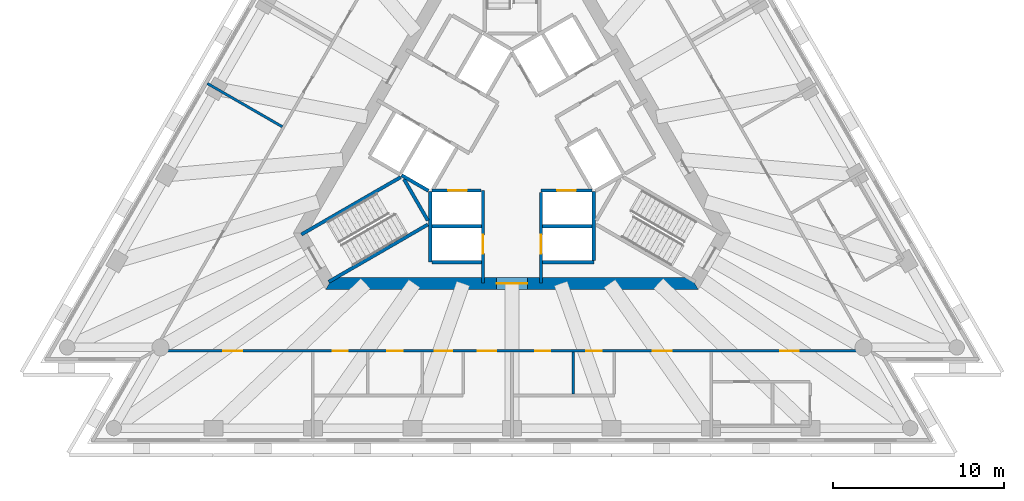
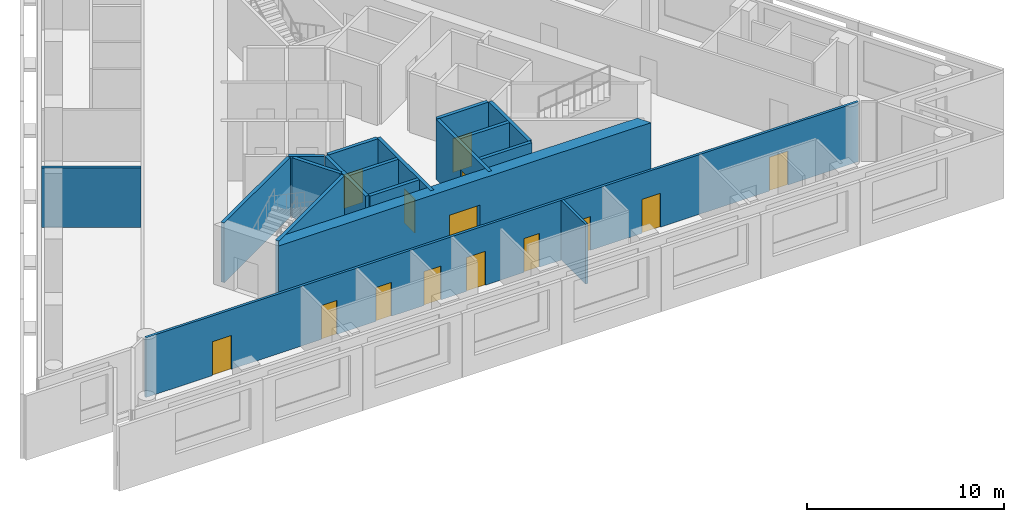
# One storey, part 3 of 10: 18 walls, 14 doors, 14 openings.
"""IFC4 building model written with IfcOpenShell, lengths in metres."""

from ifc_helpers import new_model, si_unit, direction, frame, frame_2d, origin, place, context, subcontext, project, spatial, polyline, rectangle, outline, extrude, material, layer, layer_set, type_object, element, fill, save


model = new_model("IFC4")

# Units and contexts
model_context = context("Model", 3, precision=1e-05, world=origin(), true_north=direction((0.0, 1.0)))
body_context = subcontext(model_context, "Body", "Model", "MODEL_VIEW")
ifc_project = project(units=[si_unit("LENGTHUNIT", "METRE"), si_unit("AREAUNIT", "SQUARE_METRE"), si_unit("VOLUMEUNIT", "CUBIC_METRE"), si_unit("PLANEANGLEUNIT", "RADIAN"), si_unit("MASSUNIT", "GRAM", prefix="KILO")], contexts=[model_context])

# Site, building, storey
site_placement = place(None, origin())
site = spatial("IfcSite", under=ifc_project, at=site_placement, CompositionType="ELEMENT")
building_placement = place(site_placement, origin())
building = spatial("IfcBuilding", under=site, at=building_placement, Name="Triada Interchange Tower", CompositionType="ELEMENT")
storey_placement = place(building_placement, frame((0.0, 0.0, 247.300048828125)))
storey = spatial("IfcBuildingStorey", under=building, at=storey_placement, Name="L58", CompositionType="ELEMENT", Elevation=247.300048828125)

# Walls
ifc_material_1 = material(Name="Concrete C30/37", Category="concrete")
ifc_layer_1 = layer(ifc_material_1, 0.199951171875)
ifc_layer_set_1 = layer_set([ifc_layer_1], Name="CORE WALL 200 EI 120")
wall_type_1 = type_object("IfcWallType", Name="CORE WALL 200 EI 120", PredefinedType="SOLIDWALL", material=ifc_layer_set_1)
for number, where, z_axis, x_axis, name in (
    (1, (-4.699951171875, -4.800048828125, 0.0), (0.0, 0.0, 1.0), (1.0, 0.0, 0.0), "Wall L56 43"),
    (2, (1.800048828125, -4.800048828125, 0.0), (0.0, 0.0, 1.0), (1.0, 0.0, 0.0), "Wall L56 44"),
):
    element("IfcWall", number, at=place(storey_placement, frame(where, z_axis=z_axis, x_axis=x_axis)), inside=storey, type_object=wall_type_1, Name=name, PredefinedType="SOLIDWALL", context=body_context, shape_type="SweptSolid", body=[
        extrude(rectangle(XDim=2.89990234375, YDim=0.199951171875, at=frame_2d((1.449951171875, 0.0))), origin(), (0.0, 0.0, 1.0), 3.699951171875),
    ])
wall_1_placement = place(storey_placement, frame((-4.800048828125, -6.89990234375, 0.0), z_axis=(0.0, 0.0, 1.0), x_axis=(0.0, 1.0, 0.0)))
element("IfcWall", 3, at=wall_1_placement, inside=storey, type_object=wall_type_1, Name="Wall L56 45", PredefinedType="SOLIDWALL", context=body_context, shape_type="SweptSolid", body=[
    extrude(rectangle(XDim=4.130859375, YDim=0.199951171875, at=frame_2d((2.0654296875, 0.0))), origin(), (0.0, 0.0, 1.0), 3.699951171875),
])
wall_2_placement = place(storey_placement, frame((-4.699951171875, -6.89990234375, 0.0), z_axis=(0.0, 0.0, 1.0), x_axis=(1.0, 0.0, 0.0)))
element("IfcWall", 4, at=wall_2_placement, inside=storey, type_object=wall_type_1, Name="Wall L56 46", PredefinedType="SOLIDWALL", context=body_context, shape_type="SweptSolid", body=[
    extrude(rectangle(XDim=2.89990234375, YDim=0.199951171875, at=frame_2d((1.449951171875, 0.0))), origin(), (0.0, 0.0, 1.0), 3.699951171875),
])
wall_3_placement = place(storey_placement, frame((1.800048828125, -6.89990234375, 0.0), z_axis=(0.0, 0.0, 1.0), x_axis=(1.0, 0.0, 0.0)))
element("IfcWall", 5, at=wall_3_placement, inside=storey, type_object=wall_type_1, Name="Wall L56 47", PredefinedType="SOLIDWALL", context=body_context, shape_type="SweptSolid", body=[
    extrude(rectangle(XDim=3.0, YDim=0.199951171875, at=frame_2d((1.5, 0.0))), origin(), (0.0, 0.0, 1.0), 3.699951171875),
])

# Wall, opening, door
wall_4_placement = place(storey_placement, frame((-1.699951171875, -8.1298828125, 0.0), z_axis=(0.0, 0.0, 1.0), x_axis=(0.0, 1.0, 0.0)))
wall_4 = element("IfcWall", 6, at=wall_4_placement, inside=storey, type_object=wall_type_1, Name="Wall L56 48", PredefinedType="SOLIDWALL", context=body_context, shape_type="SweptSolid", body=[
    extrude(rectangle(XDim=5.427001953125, YDim=0.199951171875, at=frame_2d((2.71337890625, 0.0))), origin(), (0.0, 0.0, 1.0), 3.699951171875),
])
opening_1_placement = place(wall_4_placement, frame((1.72998046875, 0.0, 0.0)))
opening_1 = element("IfcOpeningElement", 7, at=opening_1_placement, cuts=wall_4, Name="Opening LD-HR4", PredefinedType="OPENING", context=body_context, shape_type="SweptSolid", body=[
    extrude(rectangle(XDim=1.10009765625, YDim=2.10009765625, at=frame_2d((0.550048828125, 1.050048828125))), frame((0.0, 0.10986328125, 0.0), z_axis=(0.0, -1.0, 0.0), x_axis=(1.0, 0.0, 0.0)), (0.0, 0.0, 1.0), 0.219970703125),
])
ifc_material_2 = material(Name="Steel S235 door leaf", Category="steel")
door_type_1 = type_object("IfcDoorType", Name="LIFT LANDING DOOR 1100 EI 120", OperationType="SLIDING_TO_LEFT", PredefinedType="DOOR", material=ifc_material_2)
door_1_placement = place(opening_1_placement, origin())
door_1 = element("IfcDoor", 8, at=door_1_placement, inside=storey, type_object=door_type_1, Name="HR4 landing door L58", OperationType="SLIDING_TO_LEFT", OverallHeight=2.10009765625, OverallWidth=1.10009765625, PredefinedType="DOOR", context=body_context, shape_type="SweptSolid", body=[
    extrude(rectangle(XDim=1.10009765625, YDim=2.10009765625, at=frame_2d((0.550048828125, 1.050048828125))), frame((0.0, 0.02490234375, 0.0), z_axis=(0.0, -1.0, 0.0), x_axis=(1.0, 0.0, 0.0)), (0.0, 0.0, 1.0), 0.050048828125),
])
fill(opening_1, door_1)

wall_5_placement = place(storey_placement, frame((-4.676025390625, -2.699951171875, 0.0), z_axis=(0.0, 0.0, 1.0), x_axis=(1.0, 0.0, 0.0)))
wall_5 = element("IfcWall", 9, at=wall_5_placement, inside=storey, type_object=wall_type_1, Name="Wall L56 49", PredefinedType="SOLIDWALL", context=body_context, shape_type="SweptSolid", body=[
    extrude(rectangle(XDim=2.873046875, YDim=0.199951171875, at=frame_2d((1.4365234375, 0.0))), origin(), (0.0, 0.0, 1.0), 3.699951171875),
])
opening_2_placement = place(wall_5_placement, frame((0.93701171875, 0.0, 0.0)))
opening_2 = element("IfcOpeningElement", 10, at=opening_2_placement, cuts=wall_5, Name="Opening LD-HR3", PredefinedType="OPENING", context=body_context, shape_type="SweptSolid", body=[
    extrude(rectangle(XDim=1.10009765625, YDim=2.10009765625, at=frame_2d((0.550048828125, 1.050048828125))), frame((0.0, 0.10986328125, 0.0), z_axis=(0.0, -1.0, 0.0), x_axis=(1.0, 0.0, 0.0)), (0.0, 0.0, 1.0), 0.219970703125),
])
door_2_placement = place(opening_2_placement, origin())
door_2 = element("IfcDoor", 11, at=door_2_placement, inside=storey, type_object=door_type_1, Name="HR3 landing door L58", OperationType="SLIDING_TO_LEFT", OverallHeight=2.10009765625, OverallWidth=1.10009765625, PredefinedType="DOOR", context=body_context, shape_type="SweptSolid", body=[
    extrude(rectangle(XDim=1.10009765625, YDim=2.10009765625, at=frame_2d((0.550048828125, 1.050048828125))), frame((0.0, 0.02490234375, 0.0), z_axis=(0.0, -1.0, 0.0), x_axis=(1.0, 0.0, 0.0)), (0.0, 0.0, 1.0), 0.050048828125),
])
fill(opening_2, door_2)

wall_6_placement = place(storey_placement, frame((1.702880859375, -2.699951171875, 0.0), z_axis=(0.0, 0.0, 1.0), x_axis=(1.0, 0.0, 0.0)))
wall_6 = element("IfcWall", 12, at=wall_6_placement, inside=storey, type_object=wall_type_1, Name="Wall L56 50", PredefinedType="SOLIDWALL", context=body_context, shape_type="SweptSolid", body=[
    extrude(rectangle(XDim=2.97314453125, YDim=0.199951171875, at=frame_2d((1.486572265625, 0.0))), origin(), (0.0, 0.0, 1.0), 3.699951171875),
])
opening_3_placement = place(wall_6_placement, frame((0.93603515625, 0.0, 0.0)))
opening_3 = element("IfcOpeningElement", 13, at=opening_3_placement, cuts=wall_6, Name="Opening LD-HR1", PredefinedType="OPENING", context=body_context, shape_type="SweptSolid", body=[
    extrude(rectangle(XDim=1.10009765625, YDim=2.10009765625, at=frame_2d((0.550048828125, 1.050048828125))), frame((0.0, 0.10986328125, 0.0), z_axis=(0.0, -1.0, 0.0), x_axis=(1.0, 0.0, 0.0)), (0.0, 0.0, 1.0), 0.219970703125),
])
door_3_placement = place(opening_3_placement, origin())
door_3 = element("IfcDoor", 14, at=door_3_placement, inside=storey, type_object=door_type_1, Name="HR1 landing door L58", OperationType="SLIDING_TO_LEFT", OverallHeight=2.10009765625, OverallWidth=1.10009765625, PredefinedType="DOOR", context=body_context, shape_type="SweptSolid", body=[
    extrude(rectangle(XDim=1.10009765625, YDim=2.10009765625, at=frame_2d((0.550048828125, 1.050048828125))), frame((0.0, 0.02490234375, 0.0), z_axis=(0.0, -1.0, 0.0), x_axis=(1.0, 0.0, 0.0)), (0.0, 0.0, 1.0), 0.050048828125),
])
fill(opening_3, door_3)

wall_7_placement = place(storey_placement, frame((1.699951171875, -8.1298828125, 0.0), z_axis=(0.0, 0.0, 1.0), x_axis=(0.0, 1.0, 0.0)))
wall_7 = element("IfcWall", 15, at=wall_7_placement, inside=storey, type_object=wall_type_1, Name="Wall L56 55", PredefinedType="SOLIDWALL", context=body_context, shape_type="SweptSolid", body=[
    extrude(rectangle(XDim=5.326904296875, YDim=0.199951171875, at=frame_2d((2.66357421875, 0.0))), origin(), (0.0, 0.0, 1.0), 3.699951171875),
])
opening_4_placement = place(wall_7_placement, frame((1.72998046875, 0.0, 0.0)))
opening_4 = element("IfcOpeningElement", 16, at=opening_4_placement, cuts=wall_7, Name="Opening LD-HR2", PredefinedType="OPENING", context=body_context, shape_type="SweptSolid", body=[
    extrude(rectangle(XDim=1.10009765625, YDim=2.10009765625, at=frame_2d((0.550048828125, 1.050048828125))), frame((0.0, 0.10986328125, 0.0), z_axis=(0.0, -1.0, 0.0), x_axis=(1.0, 0.0, 0.0)), (0.0, 0.0, 1.0), 0.219970703125),
])
door_4_placement = place(opening_4_placement, origin())
door_4 = element("IfcDoor", 17, at=door_4_placement, inside=storey, type_object=door_type_1, Name="HR2 landing door L58", OperationType="SLIDING_TO_LEFT", OverallHeight=2.10009765625, OverallWidth=1.10009765625, PredefinedType="DOOR", context=body_context, shape_type="SweptSolid", body=[
    extrude(rectangle(XDim=1.10009765625, YDim=2.10009765625, at=frame_2d((0.550048828125, 1.050048828125))), frame((0.0, 0.02490234375, 0.0), z_axis=(0.0, -1.0, 0.0), x_axis=(1.0, 0.0, 0.0)), (0.0, 0.0, 1.0), 0.050048828125),
])
fill(opening_4, door_4)

# Walls
wall_8_placement = place(storey_placement, frame((4.800048828125, -6.800048828125, 0.0), z_axis=(0.0, 0.0, 1.0), x_axis=(0.0, 1.0, 0.0)))
element("IfcWall", 18, at=wall_8_placement, inside=storey, type_object=wall_type_1, Name="Wall L56 56", PredefinedType="SOLIDWALL", context=body_context, shape_type="SweptSolid", body=[
    extrude(rectangle(XDim=4.029052734375, YDim=0.199951171875, at=frame_2d((2.0146484375, 0.0))), origin(), (0.0, 0.0, 1.0), 3.699951171875),
])
ifc_layer_2 = layer(ifc_material_1, 0.199951171875)
ifc_layer_set_2 = layer_set([ifc_layer_2], Name="CORE WALL 200 EI 180")
wall_type_2 = type_object("IfcWallType", Name="CORE WALL 200 EI 180", PredefinedType="SOLIDWALL", material=ifc_layer_set_2)
wall_9_placement = place(storey_placement, frame((-6.469970703125, -1.806884765625, 0.0), z_axis=(0.0, 0.0, 1.0), x_axis=(0.865883195159, -0.500246231712, 0.0)))
element("IfcWall", 19, at=wall_9_placement, inside=storey, type_object=wall_type_2, Name="Shaft wall FF1 L56 74", PredefinedType="SOLIDWALL", context=body_context, shape_type="SweptSolid", body=[
    extrude(rectangle(XDim=1.8154296875, YDim=0.199951171875, at=frame_2d((0.90771484375, 0.0))), origin(), (0.0, 0.0, 1.0), 3.699951171875),
])
ifc_layer_3 = layer(ifc_material_1, 0.199951171875)
ifc_layer_set_3 = layer_set([ifc_layer_3], Name="CORE WALL 200 REI 240")
wall_type_3 = type_object("IfcWallType", Name="CORE WALL 200 REI 240", PredefinedType="SOLIDWALL", material=ifc_layer_set_3)
wall_10_placement = place(storey_placement, frame((-12.343994140625, -5.279052734375, 0.0), z_axis=(0.0, 0.0, 1.0), x_axis=(0.866046323291, 0.499963764601, 0.0)))
element("IfcWall", 20, at=wall_10_placement, inside=storey, type_object=wall_type_3, Name="Wall L56 84", PredefinedType="SOLIDWALL", context=body_context, shape_type="SweptSolid", body=[
    extrude(rectangle(XDim=6.71435546875, YDim=0.199951171875, at=frame_2d((3.357177734375, 0.0))), origin(), (0.0, 0.0, 1.0), 3.699951171875),
])
wall_11_placement = place(storey_placement, frame((-6.3291015625, -2.0380859375, 0.0), z_axis=(0.0, 0.0, 1.0), x_axis=(0.500200581029, -0.865909567298, 0.0)))
element("IfcWall", 21, at=wall_11_placement, inside=storey, type_object=wall_type_3, Name="Wall L56 85", PredefinedType="SOLIDWALL", context=body_context, shape_type="SweptSolid", body=[
    extrude(rectangle(XDim=2.799072265625, YDim=0.199951171875, at=frame_2d((1.3994140625, 0.0))), origin(), (0.0, 0.0, 1.0), 3.699951171875),
])
wall_12_placement = place(storey_placement, frame((-10.743896484375, -8.051025390625, 0.0), z_axis=(0.0, 0.0, 1.0), x_axis=(0.865983344943, 0.500072840975, 0.0)))
element("IfcWall", 22, at=wall_12_placement, inside=storey, type_object=wall_type_3, Name="Wall L56 86", PredefinedType="SOLIDWALL", context=body_context, shape_type="SweptSolid", body=[
    extrude(rectangle(XDim=6.71484375, YDim=0.199951171875, at=frame_2d((3.357421875, 0.0))), origin(), (0.0, 0.0, 1.0), 3.699951171875),
])

# Wall, opening, door
ifc_material_3 = material(Name="Concrete C50/60", Category="concrete")
ifc_layer_4 = layer(ifc_material_3, 0.699951171875)
ifc_layer_set_4 = layer_set([ifc_layer_4], Name="Core wall C 700")
wall_type_4 = type_object("IfcWallType", Name="Core wall C 700", PredefinedType="SHEAR", material=ifc_layer_set_4)
wall_13_placement = place(storey_placement, frame((-10.7099609375, -8.14990234375, -0.300048828125), z_axis=(0.0, 0.0, 1.0), x_axis=(1.0, 0.0, 0.0)))
wall_13 = element("IfcWall", 23, at=wall_13_placement, inside=storey, type_object=wall_type_4, Name="Core wall WC04 L58", PredefinedType="SHEAR", context=body_context, shape_type="SweptSolid", body=[
    extrude(outline(polyline([(-0.201904296875, -0.35009765625), (1.781982421875, -0.35009765625), (3.76611328125, -0.35009765625), (5.75, -0.35009765625), (7.734130859375, -0.35009765625), (9.718017578125, -0.35009765625), (11.7021484375, -0.35009765625), (13.68603515625, -0.35009765625), (15.670166015625, -0.35009765625), (17.654052734375, -0.35009765625), (19.63818359375, -0.35009765625), (21.6220703125, -0.35009765625), (21.218017578125, 0.35009765625), (19.307373046875, 0.35009765625), (17.39697265625, 0.35009765625), (15.486328125, 0.35009765625), (13.57568359375, 0.35009765625), (11.665283203125, 0.35009765625), (9.754638671875, 0.35009765625), (7.84423828125, 0.35009765625), (5.93359375, 0.35009765625), (4.02294921875, 0.35009765625), (2.112548828125, 0.35009765625), (0.201904296875, 0.35009765625), (-0.201904296875, -0.35009765625)])), origin(), (0.0, 0.0, 1.0), 4.0),
])
opening_5_placement = place(wall_13_placement, frame((9.81005859375, 0.0, 0.300048828125)))
opening_5 = element("IfcOpeningElement", 24, at=opening_5_placement, cuts=wall_13, Name="Opening D56-39", PredefinedType="OPENING", context=body_context, shape_type="SweptSolid", body=[
    extrude(rectangle(XDim=1.800048828125, YDim=2.10009765625, at=frame_2d((0.89990234375, 1.050048828125))), frame((0.0, 0.360107421875, 0.0), z_axis=(0.0, -1.0, 0.0), x_axis=(1.0, 0.0, 0.0)), (0.0, 0.0, 1.0), 0.72021484375),
])
door_type_2 = type_object("IfcDoorType", Name="LOBBY DOOR 1800 EI2 90-C5S200", OperationType="DOUBLE_DOOR_SINGLE_SWING", PredefinedType="DOOR", material=ifc_material_2)
door_5_placement = place(opening_5_placement, origin())
door_5 = element("IfcDoor", 25, at=door_5_placement, inside=storey, type_object=door_type_2, Name="Door D56-39 L58", OperationType="DOUBLE_DOOR_SINGLE_SWING", OverallHeight=2.10009765625, OverallWidth=1.800048828125, PredefinedType="DOOR", context=body_context, shape_type="SweptSolid", body=[
    extrude(rectangle(XDim=1.800048828125, YDim=2.10009765625, at=frame_2d((0.89990234375, 1.050048828125))), frame((0.0, 0.02490234375, 0.0), z_axis=(0.0, -1.0, 0.0), x_axis=(1.0, 0.0, 0.0)), (0.0, 0.0, 1.0), 0.050048828125),
])
fill(opening_5, door_5)

# Wall, openings, doors
ifc_material_4 = material(Name="Gypsum board partition")
ifc_layer_5 = layer(ifc_material_4, 0.14990234375)
ifc_layer_set_5 = layer_set([ifc_layer_5], Name="PARTITION 150 EI 180")
wall_type_5 = type_object("IfcWallType", Name="PARTITION 150 EI 180", PredefinedType="PARTITIONING", material=ifc_layer_set_5)
wall_14_placement = place(storey_placement, frame((-20.806884765625, -12.10009765625, 0.0), z_axis=(0.0, 0.0, 1.0), x_axis=(1.0, 0.0, 0.0)))
wall_14 = element("IfcWall", 26, at=wall_14_placement, inside=storey, type_object=wall_type_5, Name="Wall L56 3", PredefinedType="PARTITIONING", context=body_context, shape_type="SweptSolid", body=[
    extrude(rectangle(XDim=41.763916015625, YDim=0.14990234375, at=frame_2d((20.8818359375, 0.0))), origin(), (0.0, 0.0, 1.0), 3.699951171875),
])
opening_6_placement = place(wall_14_placement, frame((3.89990234375, 0.0, 0.0)))
opening_6 = element("IfcOpeningElement", 27, at=opening_6_placement, cuts=wall_14, Name="Opening D56-11", PredefinedType="OPENING", context=body_context, shape_type="SweptSolid", body=[
    extrude(rectangle(XDim=1.10009765625, YDim=2.10009765625, at=frame_2d((0.550048828125, 1.050048828125))), frame((0.0, 0.0849609375, 0.0), z_axis=(0.0, -1.0, 0.0), x_axis=(1.0, 0.0, 0.0)), (0.0, 0.0, 1.0), 0.169921875),
])
opening_7_placement = place(wall_14_placement, frame((18.7919921875, 0.0, 0.0)))
opening_7 = element("IfcOpeningElement", 28, at=opening_7_placement, cuts=wall_14, Name="Opening D56-12", PredefinedType="OPENING", context=body_context, shape_type="SweptSolid", body=[
    extrude(rectangle(XDim=1.10009765625, YDim=2.10009765625, at=frame_2d((0.550048828125, 1.050048828125))), frame((0.0, 0.0849609375, 0.0), z_axis=(0.0, -1.0, 0.0), x_axis=(1.0, 0.0, 0.0)), (0.0, 0.0, 1.0), 0.169921875),
])
opening_8_placement = place(wall_14_placement, frame((10.2919921875, 0.0, 0.0)))
opening_8 = element("IfcOpeningElement", 29, at=opening_8_placement, cuts=wall_14, Name="Opening D56-13", PredefinedType="OPENING", context=body_context, shape_type="SweptSolid", body=[
    extrude(rectangle(XDim=0.89990234375, YDim=2.10009765625, at=frame_2d((0.449951171875, 1.050048828125))), frame((0.0, 0.0849609375, 0.0), z_axis=(0.0, -1.0, 0.0), x_axis=(1.0, 0.0, 0.0)), (0.0, 0.0, 1.0), 0.169921875),
])
opening_9_placement = place(wall_14_placement, frame((13.491943359375, 0.0, 0.0)))
opening_9 = element("IfcOpeningElement", 30, at=opening_9_placement, cuts=wall_14, Name="Opening D56-14", PredefinedType="OPENING", context=body_context, shape_type="SweptSolid", body=[
    extrude(rectangle(XDim=0.89990234375, YDim=2.10009765625, at=frame_2d((0.449951171875, 1.050048828125))), frame((0.0, 0.0849609375, 0.0), z_axis=(0.0, -1.0, 0.0), x_axis=(1.0, 0.0, 0.0)), (0.0, 0.0, 1.0), 0.169921875),
])
opening_10_placement = place(wall_14_placement, frame((16.2919921875, 0.0, 0.0)))
opening_10 = element("IfcOpeningElement", 31, at=opening_10_placement, cuts=wall_14, Name="Opening D56-15", PredefinedType="OPENING", context=body_context, shape_type="SweptSolid", body=[
    extrude(rectangle(XDim=1.0, YDim=2.10009765625, at=frame_2d((0.5, 1.050048828125))), frame((0.0, 0.0849609375, 0.0), z_axis=(0.0, -1.0, 0.0), x_axis=(1.0, 0.0, 0.0)), (0.0, 0.0, 1.0), 0.169921875),
])
opening_11_placement = place(wall_14_placement, frame((29.056884765625, 0.0, 0.0)))
opening_11 = element("IfcOpeningElement", 32, at=opening_11_placement, cuts=wall_14, Name="Opening D56-16", PredefinedType="OPENING", context=body_context, shape_type="SweptSolid", body=[
    extrude(rectangle(XDim=1.10009765625, YDim=2.10009765625, at=frame_2d((0.550048828125, 1.050048828125))), frame((0.0, 0.0849609375, 0.0), z_axis=(0.0, -1.0, 0.0), x_axis=(1.0, 0.0, 0.0)), (0.0, 0.0, 1.0), 0.169921875),
])
opening_12_placement = place(wall_14_placement, frame((22.156982421875, 0.0, 0.0)))
opening_12 = element("IfcOpeningElement", 33, at=opening_12_placement, cuts=wall_14, Name="Opening D56-17", PredefinedType="OPENING", context=body_context, shape_type="SweptSolid", body=[
    extrude(rectangle(XDim=0.89990234375, YDim=2.10009765625, at=frame_2d((0.449951171875, 1.050048828125))), frame((0.0, 0.0849609375, 0.0), z_axis=(0.0, -1.0, 0.0), x_axis=(1.0, 0.0, 0.0)), (0.0, 0.0, 1.0), 0.169921875),
])
opening_13_placement = place(wall_14_placement, frame((25.156982421875, 0.0, 0.0)))
opening_13 = element("IfcOpeningElement", 34, at=opening_13_placement, cuts=wall_14, Name="Opening D56-18", PredefinedType="OPENING", context=body_context, shape_type="SweptSolid", body=[
    extrude(rectangle(XDim=0.89990234375, YDim=2.10009765625, at=frame_2d((0.449951171875, 1.050048828125))), frame((0.0, 0.0849609375, 0.0), z_axis=(0.0, -1.0, 0.0), x_axis=(1.0, 0.0, 0.0)), (0.0, 0.0, 1.0), 0.169921875),
])
opening_14_placement = place(wall_14_placement, frame((36.52197265625, 0.0, 0.0)))
opening_14 = element("IfcOpeningElement", 35, at=opening_14_placement, cuts=wall_14, Name="Opening D56-19", PredefinedType="OPENING", context=body_context, shape_type="SweptSolid", body=[
    extrude(rectangle(XDim=1.10009765625, YDim=2.10009765625, at=frame_2d((0.550048828125, 1.050048828125))), frame((0.0, 0.0849609375, 0.0), z_axis=(0.0, -1.0, 0.0), x_axis=(1.0, 0.0, 0.0)), (0.0, 0.0, 1.0), 0.169921875),
])
door_type_3 = type_object("IfcDoorType", Name="ROOM DOOR 1000 EI2 90-C5S200", OperationType="NOTDEFINED", PredefinedType="DOOR", material=ifc_material_2)
door_6_placement = place(opening_10_placement, origin())
door_6 = element("IfcDoor", 36, at=door_6_placement, inside=storey, type_object=door_type_3, Name="Door D56-15 L58", OperationType="SINGLE_SWING_RIGHT", OverallHeight=2.10009765625, OverallWidth=1.0, PredefinedType="DOOR", context=body_context, shape_type="SweptSolid", body=[
    extrude(rectangle(XDim=1.0, YDim=2.10009765625, at=frame_2d((0.5, 1.050048828125))), frame((0.0, 0.02490234375, 0.0), z_axis=(0.0, -1.0, 0.0), x_axis=(1.0, 0.0, 0.0)), (0.0, 0.0, 1.0), 0.050048828125),
])
fill(opening_10, door_6)
door_type_4 = type_object("IfcDoorType", Name="ROOM DOOR 900 EI2 90-C5S200", OperationType="NOTDEFINED", PredefinedType="DOOR", material=ifc_material_2)
door_7_placement = place(opening_8_placement, origin())
door_7 = element("IfcDoor", 37, at=door_7_placement, inside=storey, type_object=door_type_4, Name="Door D56-13 L58", OperationType="SINGLE_SWING_RIGHT", OverallHeight=2.10009765625, OverallWidth=0.89990234375, PredefinedType="DOOR", context=body_context, shape_type="SweptSolid", body=[
    extrude(rectangle(XDim=0.89990234375, YDim=2.10009765625, at=frame_2d((0.449951171875, 1.050048828125))), frame((0.0, 0.02490234375, 0.0), z_axis=(0.0, -1.0, 0.0), x_axis=(1.0, 0.0, 0.0)), (0.0, 0.0, 1.0), 0.050048828125),
])
fill(opening_8, door_7)
door_8_placement = place(opening_9_placement, origin())
door_8 = element("IfcDoor", 38, at=door_8_placement, inside=storey, type_object=door_type_4, Name="Door D56-14 L58", OperationType="SINGLE_SWING_LEFT", OverallHeight=2.10009765625, OverallWidth=0.89990234375, PredefinedType="DOOR", context=body_context, shape_type="SweptSolid", body=[
    extrude(rectangle(XDim=0.89990234375, YDim=2.10009765625, at=frame_2d((0.449951171875, 1.050048828125))), frame((0.0, 0.02490234375, 0.0), z_axis=(0.0, -1.0, 0.0), x_axis=(1.0, 0.0, 0.0)), (0.0, 0.0, 1.0), 0.050048828125),
])
fill(opening_9, door_8)
door_9_placement = place(opening_12_placement, origin())
door_9 = element("IfcDoor", 39, at=door_9_placement, inside=storey, type_object=door_type_4, Name="Door D56-17 L58", OperationType="SINGLE_SWING_RIGHT", OverallHeight=2.10009765625, OverallWidth=0.89990234375, PredefinedType="DOOR", context=body_context, shape_type="SweptSolid", body=[
    extrude(rectangle(XDim=0.89990234375, YDim=2.10009765625, at=frame_2d((0.449951171875, 1.050048828125))), frame((0.0, 0.02490234375, 0.0), z_axis=(0.0, -1.0, 0.0), x_axis=(1.0, 0.0, 0.0)), (0.0, 0.0, 1.0), 0.050048828125),
])
fill(opening_12, door_9)
door_10_placement = place(opening_13_placement, origin())
door_10 = element("IfcDoor", 40, at=door_10_placement, inside=storey, type_object=door_type_4, Name="Door D56-18 L58", OperationType="SINGLE_SWING_RIGHT", OverallHeight=2.10009765625, OverallWidth=0.89990234375, PredefinedType="DOOR", context=body_context, shape_type="SweptSolid", body=[
    extrude(rectangle(XDim=0.89990234375, YDim=2.10009765625, at=frame_2d((0.449951171875, 1.050048828125))), frame((0.0, 0.02490234375, 0.0), z_axis=(0.0, -1.0, 0.0), x_axis=(1.0, 0.0, 0.0)), (0.0, 0.0, 1.0), 0.050048828125),
])
fill(opening_13, door_10)
door_type_5 = type_object("IfcDoorType", Name="TENANCY ENTRANCE DOOR 1100 EI2 90-C5S200", OperationType="NOTDEFINED", PredefinedType="DOOR", material=ifc_material_2)
door_11_placement = place(opening_6_placement, origin())
door_11 = element("IfcDoor", 41, at=door_11_placement, inside=storey, type_object=door_type_5, Name="Door D56-11 L58", OperationType="SINGLE_SWING_RIGHT", OverallHeight=2.10009765625, OverallWidth=1.10009765625, PredefinedType="DOOR", context=body_context, shape_type="SweptSolid", body=[
    extrude(rectangle(XDim=1.10009765625, YDim=2.10009765625, at=frame_2d((0.550048828125, 1.050048828125))), frame((0.0, 0.02490234375, 0.0), z_axis=(0.0, -1.0, 0.0), x_axis=(1.0, 0.0, 0.0)), (0.0, 0.0, 1.0), 0.050048828125),
])
fill(opening_6, door_11)
door_12_placement = place(opening_7_placement, origin())
door_12 = element("IfcDoor", 42, at=door_12_placement, inside=storey, type_object=door_type_5, Name="Door D56-12 L58", OperationType="SINGLE_SWING_LEFT", OverallHeight=2.10009765625, OverallWidth=1.10009765625, PredefinedType="DOOR", context=body_context, shape_type="SweptSolid", body=[
    extrude(rectangle(XDim=1.10009765625, YDim=2.10009765625, at=frame_2d((0.550048828125, 1.050048828125))), frame((0.0, 0.02490234375, 0.0), z_axis=(0.0, -1.0, 0.0), x_axis=(1.0, 0.0, 0.0)), (0.0, 0.0, 1.0), 0.050048828125),
])
fill(opening_7, door_12)
door_13_placement = place(opening_11_placement, origin())
door_13 = element("IfcDoor", 43, at=door_13_placement, inside=storey, type_object=door_type_5, Name="Door D56-16 L58", OperationType="SINGLE_SWING_LEFT", OverallHeight=2.10009765625, OverallWidth=1.10009765625, PredefinedType="DOOR", context=body_context, shape_type="SweptSolid", body=[
    extrude(rectangle(XDim=1.10009765625, YDim=2.10009765625, at=frame_2d((0.550048828125, 1.050048828125))), frame((0.0, 0.02490234375, 0.0), z_axis=(0.0, -1.0, 0.0), x_axis=(1.0, 0.0, 0.0)), (0.0, 0.0, 1.0), 0.050048828125),
])
fill(opening_11, door_13)
door_14_placement = place(opening_14_placement, origin())
door_14 = element("IfcDoor", 44, at=door_14_placement, inside=storey, type_object=door_type_5, Name="Door D56-19 L58", OperationType="SINGLE_SWING_LEFT", OverallHeight=2.10009765625, OverallWidth=1.10009765625, PredefinedType="DOOR", context=body_context, shape_type="SweptSolid", body=[
    extrude(rectangle(XDim=1.10009765625, YDim=2.10009765625, at=frame_2d((0.550048828125, 1.050048828125))), frame((0.0, 0.02490234375, 0.0), z_axis=(0.0, -1.0, 0.0), x_axis=(1.0, 0.0, 0.0)), (0.0, 0.0, 1.0), 0.050048828125),
])
fill(opening_14, door_14)

# Walls
wall_15_placement = place(storey_placement, frame((-17.85009765625, 3.571044921875, 0.0), z_axis=(0.0, 0.0, 1.0), x_axis=(0.866086140321, -0.499894786475, 0.0)))
element("IfcWall", 45, at=wall_15_placement, inside=storey, type_object=wall_type_5, Name="Wall L56 5", PredefinedType="PARTITIONING", context=body_context, shape_type="SweptSolid", body=[
    extrude(rectangle(XDim=5.06884765625, YDim=0.14990234375, at=frame_2d((2.534423828125, 0.0))), origin(), (0.0, 0.0, 1.0), 3.699951171875),
])
wall_16_placement = place(storey_placement, frame((3.60009765625, -14.636962890625, 0.0), z_axis=(0.0, 0.0, 1.0), x_axis=(0.0, 1.0, 0.0)))
element("IfcWall", 46, at=wall_16_placement, inside=storey, type_object=wall_type_5, Name="Wall L56 23", PredefinedType="PARTITIONING", context=body_context, shape_type="SweptSolid", body=[
    extrude(rectangle(XDim=2.4619140625, YDim=0.14990234375, at=frame_2d((1.23095703125, 0.0))), origin(), (0.0, 0.0, 1.0), 3.699951171875),
])

save(model, "model.ifc")
